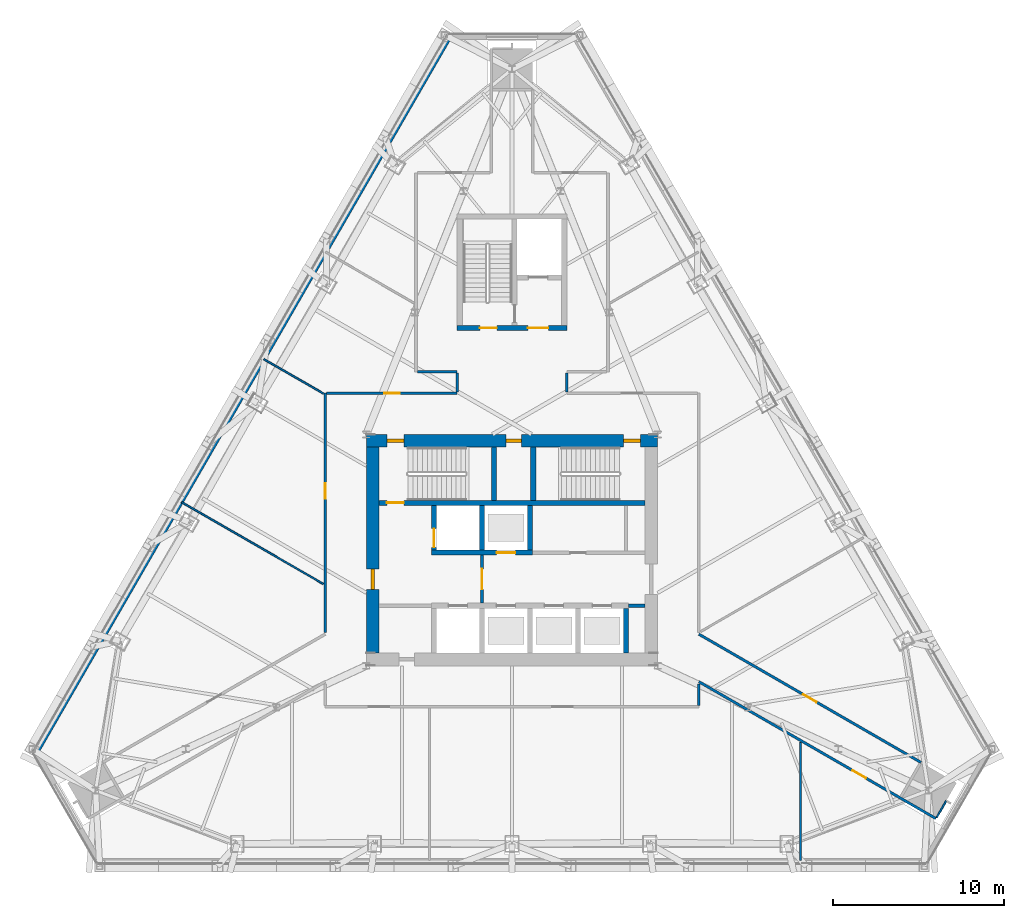
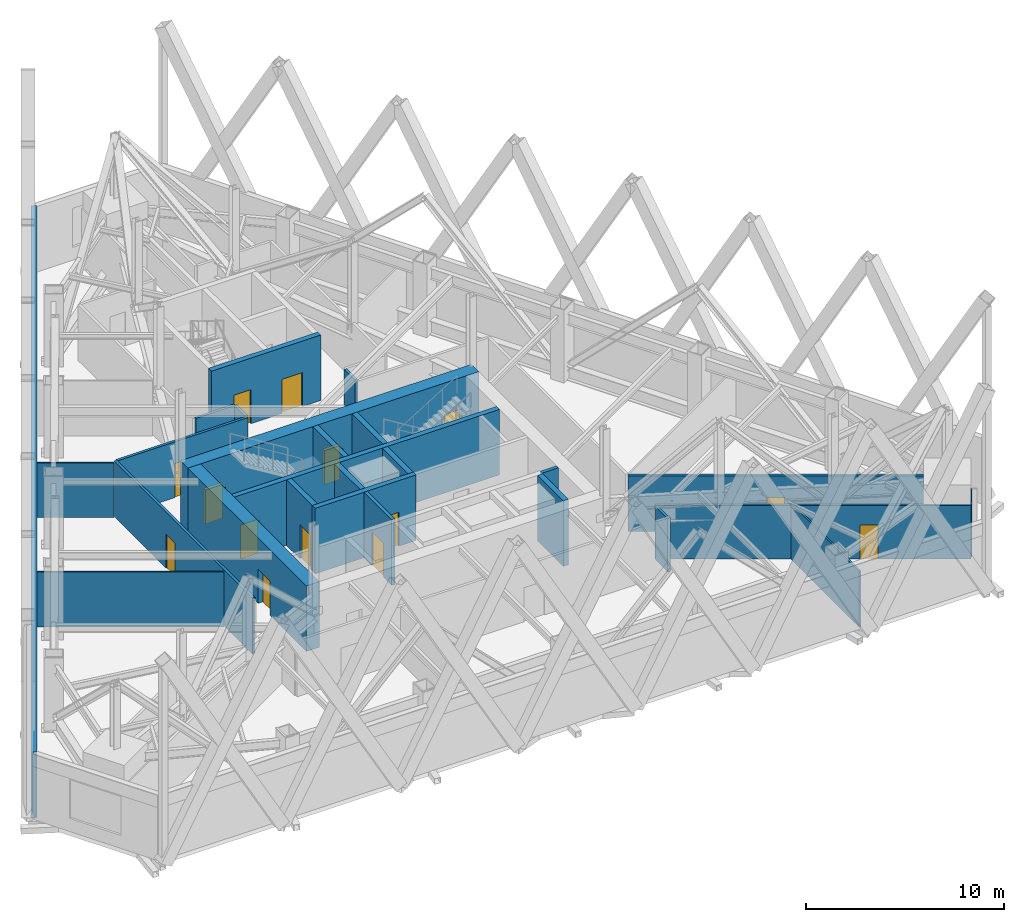
# One storey, part 8 of 16: 26 walls, 14 doors, 14 openings.
"""IFC4 building model written with IfcOpenShell, lengths in metres."""

from ifc_helpers import new_model, si_unit, direction, frame, frame_2d, origin, place, context, subcontext, project, spatial, rectangle, extrude, material, layer, layer_set, type_object, element, fill, save


model = new_model("IFC4")

# Units and contexts
model_context = context("Model", 3, precision=1e-05, world=origin(), true_north=direction((0.0, 1.0)))
body_context = subcontext(model_context, "Body", "Model", "MODEL_VIEW")
ifc_project = project(units=[si_unit("LENGTHUNIT", "METRE"), si_unit("AREAUNIT", "SQUARE_METRE"), si_unit("VOLUMEUNIT", "CUBIC_METRE"), si_unit("PLANEANGLEUNIT", "RADIAN"), si_unit("MASSUNIT", "GRAM", prefix="KILO")], contexts=[model_context])

# Site, building, storey
site_placement = place(None, origin())
site = spatial("IfcSite", under=ifc_project, at=site_placement, CompositionType="ELEMENT")
building_placement = place(site_placement, origin())
building = spatial("IfcBuilding", under=site, at=building_placement, Name="Firuza Gate Tower and Library", CompositionType="ELEMENT")
storey_placement = place(building_placement, frame((0.0, 0.0, 247.60009765625)))
storey = spatial("IfcBuildingStorey", under=building, at=storey_placement, Name="L58", CompositionType="ELEMENT", Elevation=247.60009765625)

# Wall
ifc_material_1 = material(Name="Plasterboard on steel studs", Category="steel")
ifc_layer_1 = layer(ifc_material_1, 0.199951171875)
ifc_layer_set_1 = layer_set([ifc_layer_1], Name="Core partition 200 EI 120")
wall_type_1 = type_object("IfcWallType", Name="Core partition 200 EI 120", PredefinedType="PARTITIONING", material=ifc_layer_set_1)
wall_1_placement = place(storey_placement, frame((81.800048828125, 71.75, 0.0), z_axis=(0.0, 0.0, 1.0), x_axis=(1.0, 0.0, 0.0)))
element("IfcWall", 1, at=wall_1_placement, inside=storey, type_object=wall_type_1, Name="Core partition L58 2", PredefinedType="PARTITIONING", context=body_context, shape_type="SweptSolid", body=[
    extrude(rectangle(XDim=0.949951171875, YDim=0.199951171875, at=frame_2d((0.47509765625, 0.0))), origin(), (0.0, 0.0, 1.0), 4.0498046875),
])

# Wall, opening, door
ifc_material_2 = material(Name="Plasterboard on steel studs", Category="steel")
ifc_layer_2 = layer(ifc_material_2, 0.199951171875)
ifc_layer_set_2 = layer_set([ifc_layer_2], Name="Core partition 200 EI 60")
wall_type_2 = type_object("IfcWallType", Name="Core partition 200 EI 60", PredefinedType="PARTITIONING", material=ifc_layer_set_2)
wall_2_placement = place(storey_placement, frame((73.25, 71.89990234375, 0.0), z_axis=(0.0, 0.0, 1.0), x_axis=(0.0, 1.0, 0.0)))
wall_2 = element("IfcWall", 2, at=wall_2_placement, inside=storey, type_object=wall_type_2, Name="Core partition L58 4", PredefinedType="PARTITIONING", context=body_context, shape_type="SweptSolid", body=[
    extrude(rectangle(XDim=2.800048828125, YDim=0.199951171875, at=frame_2d((1.39990234375, 0.0))), origin(), (0.0, 0.0, 1.0), 4.0498046875),
])
opening_1_placement = place(wall_2_placement, frame((0.800048828125, 0.0, 0.0)))
opening_1 = element("IfcOpeningElement", 3, at=opening_1_placement, cuts=wall_2, Name="Opening L58-K14", PredefinedType="OPENING", context=body_context, shape_type="SweptSolid", body=[
    extrude(rectangle(XDim=1.199951171875, YDim=2.10009765625, at=frame_2d((0.60009765625, 1.050048828125))), frame((0.0, 0.10986328125, 0.0), z_axis=(0.0, -1.0, 0.0), x_axis=(1.0, 0.0, 0.0)), (0.0, 0.0, 1.0), 0.219970703125),
])
ifc_material_3 = material(Name="Steel", Category="steel")
door_type_1 = type_object("IfcDoorType", Name="Fire door 1200x2100 FD90S", OperationType="NOTDEFINED", PredefinedType="DOOR", material=ifc_material_3)
door_1_placement = place(opening_1_placement, origin())
door_1 = element("IfcDoor", 4, at=door_1_placement, inside=storey, type_object=door_type_1, Name="Door L58-K14", OperationType="SINGLE_SWING_LEFT", OverallHeight=2.10009765625, OverallWidth=1.199951171875, PredefinedType="DOOR", context=body_context, shape_type="SweptSolid", body=[
    extrude(rectangle(XDim=1.199951171875, YDim=2.10009765625, at=frame_2d((0.60009765625, 1.050048828125))), frame((0.0, 0.02490234375, 0.0), z_axis=(0.0, -1.0, 0.0), x_axis=(1.0, 0.0, 0.0)), (0.0, 0.0, 1.0), 0.050048828125),
])
fill(opening_1, door_1)

ifc_material_4 = material(Name="Concrete C60/75", Category="concrete")
ifc_layer_3 = layer(ifc_material_4, 0.300048828125)
ifc_layer_set_3 = layer_set([ifc_layer_3], Name="Core wall 300 C60/75")
wall_type_3 = type_object("IfcWallType", Name="Core wall 300 C60/75", PredefinedType="SHEAR", material=ifc_layer_set_3)
wall_3_placement = place(storey_placement, frame((70.300048828125, 74.85009765625, 0.0), z_axis=(0.0, 0.0, 1.0), x_axis=(1.0, 0.0, 0.0)))
wall_3 = element("IfcWall", 5, at=wall_3_placement, inside=storey, type_object=wall_type_3, Name="Core wall L58 6", PredefinedType="SHEAR", context=body_context, shape_type="SweptSolid", body=[
    extrude(rectangle(XDim=5.89990234375, YDim=0.300048828125, at=frame_2d((2.949951171875, 0.0))), origin(), (0.0, 0.0, 1.0), 4.0498046875),
])
opening_2_placement = place(wall_3_placement, frame((3.800048828125, 0.0, 0.0)))
opening_2 = element("IfcOpeningElement", 6, at=opening_2_placement, cuts=wall_3, Name="Opening LD-HR4-L58", PredefinedType="OPENING", context=body_context, shape_type="SweptSolid", body=[
    extrude(rectangle(XDim=1.10009765625, YDim=2.10009765625, at=frame_2d((0.550048828125, 1.050048828125))), frame((0.0, 0.16015625, 0.0), z_axis=(0.0, -1.0, 0.0), x_axis=(1.0, 0.0, 0.0)), (0.0, 0.0, 1.0), 0.320068359375),
])
ifc_material_5 = material(Name="Stainless steel", Category="steel")
door_type_2 = type_object("IfcDoorType", Name="Lift landing door 1100x2100", OperationType="DOUBLE_DOOR_SLIDING", PredefinedType="DOOR", material=ifc_material_5)
door_2_placement = place(opening_2_placement, origin())
door_2 = element("IfcDoor", 7, at=door_2_placement, inside=storey, type_object=door_type_2, Name="Landing door HR4 L58", OperationType="DOUBLE_DOOR_SLIDING", OverallHeight=2.10009765625, OverallWidth=1.10009765625, PredefinedType="DOOR", context=body_context, shape_type="SweptSolid", body=[
    extrude(rectangle(XDim=1.10009765625, YDim=2.10009765625, at=frame_2d((0.550048828125, 1.050048828125))), frame((0.0, 0.02490234375, 0.0), z_axis=(0.0, -1.0, 0.0), x_axis=(1.0, 0.0, 0.0)), (0.0, 0.0, 1.0), 0.050048828125),
])
fill(opening_2, door_2)

wall_4_placement = place(storey_placement, frame((70.449951171875, 75.0, 0.0), z_axis=(0.0, 0.0, 1.0), x_axis=(0.0, 1.0, 0.0)))
wall_4 = element("IfcWall", 8, at=wall_4_placement, inside=storey, type_object=wall_type_3, Name="Core wall L58 8", PredefinedType="SHEAR", context=body_context, shape_type="SweptSolid", body=[
    extrude(rectangle(XDim=2.60009765625, YDim=0.300048828125, at=frame_2d((1.300048828125, 0.0))), origin(), (0.0, 0.0, 1.0), 4.0498046875),
])
opening_3_placement = place(wall_4_placement, frame((0.14990234375, 0.0, 0.0)))
opening_3 = element("IfcOpeningElement", 9, at=opening_3_placement, cuts=wall_4, Name="Opening LD-FF2-L58", PredefinedType="OPENING", context=body_context, shape_type="SweptSolid", body=[
    extrude(rectangle(XDim=1.10009765625, YDim=2.10009765625, at=frame_2d((0.550048828125, 1.050048828125))), frame((0.0, 0.16015625, 0.0), z_axis=(0.0, -1.0, 0.0), x_axis=(1.0, 0.0, 0.0)), (0.0, 0.0, 1.0), 0.320068359375),
])
door_3_placement = place(opening_3_placement, origin())
door_3 = element("IfcDoor", 10, at=door_3_placement, inside=storey, type_object=door_type_2, Name="Landing door FF2 L58", OperationType="DOUBLE_DOOR_SLIDING", OverallHeight=2.10009765625, OverallWidth=1.10009765625, PredefinedType="DOOR", context=body_context, shape_type="SweptSolid", body=[
    extrude(rectangle(XDim=1.10009765625, YDim=2.10009765625, at=frame_2d((0.550048828125, 1.050048828125))), frame((0.0, 0.02490234375, 0.0), z_axis=(0.0, -1.0, 0.0), x_axis=(1.0, 0.0, 0.0)), (0.0, 0.0, 1.0), 0.050048828125),
])
fill(opening_3, door_3)

# Walls
for number, where, z_axis, x_axis, name in (
    (11, (73.25, 75.0, 0.0), (0.0, 0.0, 1.0), (0.0, 1.0, 0.0), "Core wall L58 10"),
    (12, (76.050048828125, 75.0, 0.0), (0.0, 0.0, 1.0), (0.0, 1.0, 0.0), "Core wall L58 12"),
    (13, (81.64990234375, 69.0, 0.0), (0.0, 0.0, 1.0), (0.0, 1.0, 0.0), "Core wall L58 14"),
):
    element("IfcWall", number, at=place(storey_placement, frame(where, z_axis=z_axis, x_axis=x_axis)), inside=storey, type_object=wall_type_3, Name=name, PredefinedType="SHEAR", context=body_context, shape_type="SweptSolid", body=[
        extrude(rectangle(XDim=2.60009765625, YDim=0.300048828125, at=frame_2d((1.300048828125, 0.0))), origin(), (0.0, 0.0, 1.0), 4.0498046875),
    ])

# Wall, opening, door
wall_5_placement = place(storey_placement, frame((67.25, 77.75, 0.0), z_axis=(0.0, 0.0, 1.0), x_axis=(1.0, 0.0, 0.0)))
wall_5 = element("IfcWall", 14, at=wall_5_placement, inside=storey, type_object=wall_type_3, Name="Core wall L58 15", PredefinedType="SHEAR", context=body_context, shape_type="SweptSolid", body=[
    extrude(rectangle(XDim=15.5, YDim=0.300048828125, at=frame_2d((7.75, 0.0))), origin(), (0.0, 0.0, 1.0), 4.0498046875),
])
opening_4_placement = place(wall_5_placement, frame((0.445068359375, 0.0, 0.0)))
opening_4 = element("IfcOpeningElement", 15, at=opening_4_placement, cuts=wall_5, Name="Opening L58-K08", PredefinedType="OPENING", context=body_context, shape_type="SweptSolid", body=[
    extrude(rectangle(XDim=1.0, YDim=2.10009765625, at=frame_2d((0.5, 1.050048828125))), frame((0.0, 0.16015625, 0.0), z_axis=(0.0, -1.0, 0.0), x_axis=(1.0, 0.0, 0.0)), (0.0, 0.0, 1.0), 0.320068359375),
])
ifc_material_6 = material(Name="Steel", Category="steel")
door_type_3 = type_object("IfcDoorType", Name="Fire door 1000x2100 FD90", OperationType="NOTDEFINED", PredefinedType="DOOR", material=ifc_material_6)
door_4_placement = place(opening_4_placement, origin())
door_4 = element("IfcDoor", 16, at=door_4_placement, inside=storey, type_object=door_type_3, Name="Door L58-K08", OperationType="SINGLE_SWING_LEFT", OverallHeight=2.10009765625, OverallWidth=1.0, PredefinedType="DOOR", context=body_context, shape_type="SweptSolid", body=[
    extrude(rectangle(XDim=1.0, YDim=2.10009765625, at=frame_2d((0.5, 1.050048828125))), frame((0.0, 0.02490234375, 0.0), z_axis=(0.0, -1.0, 0.0), x_axis=(1.0, 0.0, 0.0)), (0.0, 0.0, 1.0), 0.050048828125),
])
fill(opening_4, door_4)

# Walls
for number, where, z_axis, x_axis, name in (
    (17, (73.9599609375, 77.89990234375, 0.0), (0.0, 0.0, 1.0), (0.0, 1.0, 0.0), "Core wall L58 16"),
    (18, (76.239990234375, 77.89990234375, 0.0), (0.0, 0.0, 1.0), (0.0, 1.0, 0.0), "Core wall L58 17"),
):
    element("IfcWall", number, at=place(storey_placement, frame(where, z_axis=z_axis, x_axis=x_axis)), inside=storey, type_object=wall_type_3, Name=name, PredefinedType="SHEAR", context=body_context, shape_type="SweptSolid", body=[
        extrude(rectangle(XDim=3.10009765625, YDim=0.300048828125, at=frame_2d((1.550048828125, 0.0))), origin(), (0.0, 0.0, 1.0), 4.0498046875),
    ])

# Wall, openings, doors
wall_6_placement = place(storey_placement, frame((71.800048828125, 87.949951171875, 0.0), z_axis=(0.0, 0.0, 1.0), x_axis=(1.0, 0.0, 0.0)))
wall_6 = element("IfcWall", 19, at=wall_6_placement, inside=storey, type_object=wall_type_3, Name="Core wall L58 18", PredefinedType="SHEAR", context=body_context, shape_type="SweptSolid", body=[
    extrude(rectangle(XDim=6.39990234375, YDim=0.300048828125, at=frame_2d((3.199951171875, 0.0))), origin(), (0.0, 0.0, 1.0), 4.0498046875),
])
opening_5_placement = place(wall_6_placement, frame((1.324951171875, 0.0, 0.0)))
opening_5 = element("IfcOpeningElement", 20, at=opening_5_placement, cuts=wall_6, Name="Opening L58-K11", PredefinedType="OPENING", context=body_context, shape_type="SweptSolid", body=[
    extrude(rectangle(XDim=1.0, YDim=2.10009765625, at=frame_2d((0.5, 1.050048828125))), frame((0.0, 0.16015625, 0.0), z_axis=(0.0, -1.0, 0.0), x_axis=(1.0, 0.0, 0.0)), (0.0, 0.0, 1.0), 0.320068359375),
])
opening_6_placement = place(wall_6_placement, frame((4.125, 0.0, 0.0)))
opening_6 = element("IfcOpeningElement", 21, at=opening_6_placement, cuts=wall_6, Name="Opening L58-K13", PredefinedType="OPENING", context=body_context, shape_type="SweptSolid", body=[
    extrude(rectangle(XDim=1.199951171875, YDim=2.10009765625, at=frame_2d((0.60009765625, 1.050048828125))), frame((0.0, 0.16015625, 0.0), z_axis=(0.0, -1.0, 0.0), x_axis=(1.0, 0.0, 0.0)), (0.0, 0.0, 1.0), 0.320068359375),
])
door_5_placement = place(opening_5_placement, origin())
door_5 = element("IfcDoor", 22, at=door_5_placement, inside=storey, type_object=door_type_3, Name="Door L58-K11", OperationType="SINGLE_SWING_RIGHT", OverallHeight=2.10009765625, OverallWidth=1.0, PredefinedType="DOOR", context=body_context, shape_type="SweptSolid", body=[
    extrude(rectangle(XDim=1.0, YDim=2.10009765625, at=frame_2d((0.5, 1.050048828125))), frame((0.0, 0.02490234375, 0.0), z_axis=(0.0, -1.0, 0.0), x_axis=(1.0, 0.0, 0.0)), (0.0, 0.0, 1.0), 0.050048828125),
])
fill(opening_5, door_5)
ifc_material_7 = material(Name="Steel", Category="steel")
door_type_4 = type_object("IfcDoorType", Name="Fire door 1200x2100 FD30S", OperationType="NOTDEFINED", PredefinedType="DOOR", material=ifc_material_7)
door_6_placement = place(opening_6_placement, origin())
door_6 = element("IfcDoor", 23, at=door_6_placement, inside=storey, type_object=door_type_4, Name="Door L58-K13", OperationType="SINGLE_SWING_RIGHT", OverallHeight=2.10009765625, OverallWidth=1.199951171875, PredefinedType="DOOR", context=body_context, shape_type="SweptSolid", body=[
    extrude(rectangle(XDim=1.199951171875, YDim=2.10009765625, at=frame_2d((0.60009765625, 1.050048828125))), frame((0.0, 0.02490234375, 0.0), z_axis=(0.0, -1.0, 0.0), x_axis=(1.0, 0.0, 0.0)), (0.0, 0.0, 1.0), 0.050048828125),
])
fill(opening_6, door_6)

ifc_material_8 = material(Name="Concrete C60/75", Category="concrete")
ifc_layer_4 = layer(ifc_material_8, 0.75)
ifc_layer_set_4 = layer_set([ifc_layer_4], Name="Core wall 750 C60/75")
wall_type_4 = type_object("IfcWallType", Name="Core wall 750 C60/75", PredefinedType="SHEAR", material=ifc_layer_set_4)
wall_7_placement = place(storey_placement, frame((66.5, 81.375, 0.0), z_axis=(0.0, 0.0, 1.0), x_axis=(1.0, 0.0, 0.0)))
wall_7 = element("IfcWall", 24, at=wall_7_placement, inside=storey, type_object=wall_type_4, Name="Core wall L58 2", PredefinedType="SHEAR", context=body_context, shape_type="SweptSolid", body=[
    extrude(rectangle(XDim=17.0, YDim=0.75, at=frame_2d((8.5, 0.0))), origin(), (0.0, 0.0, 1.0), 4.0498046875),
])
opening_7_placement = place(wall_7_placement, frame((1.195068359375, 0.0, 0.0)))
opening_7 = element("IfcOpeningElement", 25, at=opening_7_placement, cuts=wall_7, Name="Opening L58-K09", PredefinedType="OPENING", context=body_context, shape_type="SweptSolid", body=[
    extrude(rectangle(XDim=1.0, YDim=2.10009765625, at=frame_2d((0.5, 1.050048828125))), frame((0.0, 0.385009765625, 0.0), z_axis=(0.0, -1.0, 0.0), x_axis=(1.0, 0.0, 0.0)), (0.0, 0.0, 1.0), 0.77001953125),
])
opening_8_placement = place(wall_7_placement, frame((15.0048828125, 0.0, 0.0)))
opening_8 = element("IfcOpeningElement", 26, at=opening_8_placement, cuts=wall_7, Name="Opening L58-K10", PredefinedType="OPENING", context=body_context, shape_type="SweptSolid", body=[
    extrude(rectangle(XDim=1.0, YDim=2.10009765625, at=frame_2d((0.5, 1.050048828125))), frame((0.0, 0.385009765625, 0.0), z_axis=(0.0, -1.0, 0.0), x_axis=(1.0, 0.0, 0.0)), (0.0, 0.0, 1.0), 0.77001953125),
])
opening_9_placement = place(wall_7_placement, frame((8.14990234375, 0.0, 0.0)))
opening_9 = element("IfcOpeningElement", 27, at=opening_9_placement, cuts=wall_7, Name="Opening L58-K19", PredefinedType="OPENING", context=body_context, shape_type="SweptSolid", body=[
    extrude(rectangle(XDim=0.89990234375, YDim=2.10009765625, at=frame_2d((0.449951171875, 1.050048828125))), frame((0.0, 0.385009765625, 0.0), z_axis=(0.0, -1.0, 0.0), x_axis=(1.0, 0.0, 0.0)), (0.0, 0.0, 1.0), 0.77001953125),
])
door_7_placement = place(opening_7_placement, origin())
door_7 = element("IfcDoor", 28, at=door_7_placement, inside=storey, type_object=door_type_3, Name="Door L58-K09", OperationType="SINGLE_SWING_RIGHT", OverallHeight=2.10009765625, OverallWidth=1.0, PredefinedType="DOOR", context=body_context, shape_type="SweptSolid", body=[
    extrude(rectangle(XDim=1.0, YDim=2.10009765625, at=frame_2d((0.5, 1.050048828125))), frame((0.0, 0.094970703125, 0.0), z_axis=(0.0, -1.0, 0.0), x_axis=(1.0, 0.0, 0.0)), (0.0, 0.0, 1.0), 0.18994140625),
])
fill(opening_7, door_7)
door_8_placement = place(opening_8_placement, origin())
door_8 = element("IfcDoor", 29, at=door_8_placement, inside=storey, type_object=door_type_3, Name="Door L58-K10", OperationType="SINGLE_SWING_LEFT", OverallHeight=2.10009765625, OverallWidth=1.0, PredefinedType="DOOR", context=body_context, shape_type="SweptSolid", body=[
    extrude(rectangle(XDim=1.0, YDim=2.10009765625, at=frame_2d((0.5, 1.050048828125))), frame((0.0, 0.094970703125, 0.0), z_axis=(0.0, -1.0, 0.0), x_axis=(1.0, 0.0, 0.0)), (0.0, 0.0, 1.0), 0.18994140625),
])
fill(opening_8, door_8)
ifc_material_9 = material(Name="Steel", Category="steel")
door_type_5 = type_object("IfcDoorType", Name="Fire door 900x2100 FD30S", OperationType="NOTDEFINED", PredefinedType="DOOR", material=ifc_material_9)
door_9_placement = place(opening_9_placement, origin())
door_9 = element("IfcDoor", 30, at=door_9_placement, inside=storey, type_object=door_type_5, Name="Door L58-K19", OperationType="SINGLE_SWING_RIGHT", OverallHeight=2.10009765625, OverallWidth=0.89990234375, PredefinedType="DOOR", context=body_context, shape_type="SweptSolid", body=[
    extrude(rectangle(XDim=0.89990234375, YDim=2.10009765625, at=frame_2d((0.449951171875, 1.050048828125))), frame((0.0, 0.094970703125, 0.0), z_axis=(0.0, -1.0, 0.0), x_axis=(1.0, 0.0, 0.0)), (0.0, 0.0, 1.0), 0.18994140625),
])
fill(opening_9, door_9)

# Wall, opening, door
wall_8_placement = place(storey_placement, frame((66.875, 69.0, 0.0), z_axis=(0.0, 0.0, 1.0), x_axis=(0.0, 1.0, 0.0)))
wall_8 = element("IfcWall", 31, at=wall_8_placement, inside=storey, type_object=wall_type_4, Name="Core wall L58 3", PredefinedType="SHEAR", context=body_context, shape_type="SweptSolid", body=[
    extrude(rectangle(XDim=12.0, YDim=0.75, at=frame_2d((6.0, 0.0))), origin(), (0.0, 0.0, 1.0), 4.0498046875),
])
opening_10_placement = place(wall_8_placement, frame((3.699951171875, 0.0, 0.0)))
opening_10 = element("IfcOpeningElement", 32, at=opening_10_placement, cuts=wall_8, Name="Opening L58-K15", PredefinedType="OPENING", context=body_context, shape_type="SweptSolid", body=[
    extrude(rectangle(XDim=1.199951171875, YDim=2.10009765625, at=frame_2d((0.60009765625, 1.050048828125))), frame((0.0, 0.385009765625, 0.0), z_axis=(0.0, -1.0, 0.0), x_axis=(1.0, 0.0, 0.0)), (0.0, 0.0, 1.0), 0.77001953125),
])
door_10_placement = place(opening_10_placement, origin())
door_10 = element("IfcDoor", 33, at=door_10_placement, inside=storey, type_object=door_type_1, Name="Door L58-K15", OperationType="SINGLE_SWING_RIGHT", OverallHeight=2.10009765625, OverallWidth=1.199951171875, PredefinedType="DOOR", context=body_context, shape_type="SweptSolid", body=[
    extrude(rectangle(XDim=1.199951171875, YDim=2.10009765625, at=frame_2d((0.60009765625, 1.050048828125))), frame((0.0, 0.094970703125, 0.0), z_axis=(0.0, -1.0, 0.0), x_axis=(1.0, 0.0, 0.0)), (0.0, 0.0, 1.0), 0.18994140625),
])
fill(opening_10, door_10)

ifc_material_10 = material(Name="Gypsum board partition")
ifc_layer_5 = layer(ifc_material_10, 0.14990234375)
ifc_layer_set_5 = layer_set([ifc_layer_5], Name="Corridor wall 150 double board on steel studs")
wall_type_5 = type_object("IfcWallType", Name="Corridor wall 150 double board on steel studs", PredefinedType="PARTITIONING", material=ifc_layer_set_5)
wall_9_placement = place(storey_placement, frame((64.175537109375, 84.14990234375, 0.0), z_axis=(0.0, 0.0, 1.0), x_axis=(1.0, 0.0, 0.0)))
wall_9 = element("IfcWall", 34, at=wall_9_placement, inside=storey, type_object=wall_type_5, Name="f:L58:w001", PredefinedType="PARTITIONING", context=body_context, shape_type="SweptSolid", body=[
    extrude(rectangle(XDim=7.62451171875, YDim=0.14990234375, at=frame_2d((3.812255859375, 0.0))), origin(), (0.0, 0.0, 1.0), 3.447021484375),
])
opening_11_placement = place(wall_9_placement, frame((3.3623046875, 0.0, 0.0)))
opening_11 = element("IfcOpeningElement", 35, at=opening_11_placement, cuts=wall_9, Name="Opening L58-03", PredefinedType="OPENING", context=body_context, shape_type="SweptSolid", body=[
    extrude(rectangle(XDim=0.89990234375, YDim=2.10009765625, at=frame_2d((0.449951171875, 1.050048828125))), frame((0.0, 0.0849609375, 0.0), z_axis=(0.0, -1.0, 0.0), x_axis=(1.0, 0.0, 0.0)), (0.0, 0.0, 1.0), 0.169921875),
])
ifc_material_11 = material(Name="Steel door and timber leaf", Category="steel")
door_type_6 = type_object("IfcDoorType", Name="Fire door 900 x 2100 steel frame, timber leaf", OperationType="NOTDEFINED", PredefinedType="DOOR", material=ifc_material_11)
door_11_placement = place(opening_11_placement, origin())
door_11 = element("IfcDoor", 36, at=door_11_placement, inside=storey, type_object=door_type_6, Name="f:L58:d003", OperationType="SINGLE_SWING_RIGHT", OverallHeight=2.10009765625, OverallWidth=0.89990234375, PredefinedType="DOOR", context=body_context, shape_type="SweptSolid", body=[
    extrude(rectangle(XDim=0.89990234375, YDim=2.10009765625, at=frame_2d((0.449951171875, 1.050048828125))), frame((0.0, 0.02490234375, 0.0), z_axis=(0.0, -1.0, 0.0), x_axis=(1.0, 0.0, 0.0)), (0.0, 0.0, 1.0), 0.050048828125),
])
fill(opening_11, door_11)

# Walls
wall_10_placement = place(storey_placement, frame((69.4755859375, 85.39990234375, 0.0), z_axis=(0.0, 0.0, 1.0), x_axis=(1.0, 0.0, 0.0)))
element("IfcWall", 37, at=wall_10_placement, inside=storey, type_object=wall_type_5, Name="f:L58:w003", PredefinedType="PARTITIONING", context=body_context, shape_type="SweptSolid", body=[
    extrude(rectangle(XDim=2.324462890625, YDim=0.14990234375, at=frame_2d((1.162109375, 0.0))), origin(), (0.0, 0.0, 1.0), 3.447021484375),
])
wall_11_placement = place(storey_placement, frame((85.89990234375, 65.925537109375, 0.0), z_axis=(0.0, 0.0, 1.0), x_axis=(0.0, 1.0, 0.0)))
element("IfcWall", 38, at=wall_11_placement, inside=storey, type_object=wall_type_5, Name="f:L58:w017", PredefinedType="PARTITIONING", context=body_context, shape_type="SweptSolid", body=[
    extrude(rectangle(XDim=1.259033203125, YDim=0.14990234375, at=frame_2d((0.62939453125, 0.0))), origin(), (0.0, 0.0, 1.0), 3.296875),
])
for number, where, z_axis, x_axis, name in (
    (39, (78.199951171875, 84.22509765625, 0.0), (0.0, 0.0, 1.0), (0.0, 1.0, 0.0), "f:L58:w020"),
    (40, (71.800048828125, 84.22509765625, 0.0), (0.0, 0.0, 1.0), (0.0, 1.0, 0.0), "f:L58:w024"),
):
    element("IfcWall", number, at=place(storey_placement, frame(where, z_axis=z_axis, x_axis=x_axis)), inside=storey, type_object=wall_type_5, Name=name, PredefinedType="PARTITIONING", context=body_context, shape_type="SweptSolid", body=[
        extrude(rectangle(XDim=1.099853515625, YDim=0.14990234375, at=frame_2d((0.5498046875, 0.0))), origin(), (0.0, 0.0, 1.0), 3.447021484375),
    ])

# Wall, opening, door
wall_12_placement = place(storey_placement, frame((64.10009765625, 70.17919921875, 0.0), z_axis=(0.0, 0.0, 1.0), x_axis=(0.0, 1.0, 0.0)))
wall_12 = element("IfcWall", 41, at=wall_12_placement, inside=storey, type_object=wall_type_5, Name="f:L58:w028", PredefinedType="PARTITIONING", context=body_context, shape_type="SweptSolid", body=[
    extrude(rectangle(XDim=13.97021484375, YDim=0.14990234375, at=frame_2d((6.985107421875, 0.0))), origin(), (0.0, 0.0, 1.0), 3.449951171875),
])
opening_12_placement = place(wall_12_placement, frame((7.8251953125, 0.0, 0.0)))
opening_12 = element("IfcOpeningElement", 42, at=opening_12_placement, cuts=wall_12, Name="Opening L58-08", PredefinedType="OPENING", context=body_context, shape_type="SweptSolid", body=[
    extrude(rectangle(XDim=0.89990234375, YDim=2.10009765625, at=frame_2d((0.449951171875, 1.050048828125))), frame((0.0, 0.0849609375, 0.0), z_axis=(0.0, -1.0, 0.0), x_axis=(1.0, 0.0, 0.0)), (0.0, 0.0, 1.0), 0.169921875),
])
door_12_placement = place(opening_12_placement, origin())
door_12 = element("IfcDoor", 43, at=door_12_placement, inside=storey, type_object=door_type_6, Name="f:L58:d008", OperationType="SINGLE_SWING_LEFT", OverallHeight=2.10009765625, OverallWidth=0.89990234375, PredefinedType="DOOR", context=body_context, shape_type="SweptSolid", body=[
    extrude(rectangle(XDim=0.89990234375, YDim=2.10009765625, at=frame_2d((0.449951171875, 1.050048828125))), frame((0.0, 0.02490234375, 0.0), z_axis=(0.0, -1.0, 0.0), x_axis=(1.0, 0.0, 0.0)), (0.0, 0.0, 1.0), 0.050048828125),
])
fill(opening_12, door_12)

wall_13_placement = place(storey_placement, frame((85.900146484375, 70.092529296875, 0.0), z_axis=(0.0, 0.0, 1.0), x_axis=(0.86602437476, -0.500001782318, 0.0)))
wall_13 = element("IfcWall", 44, at=wall_13_placement, inside=storey, type_object=wall_type_5, Name="f:L58:w033", PredefinedType="PARTITIONING", context=body_context, shape_type="SweptSolid", body=[
    extrude(rectangle(XDim=14.955078125, YDim=0.14990234375, at=frame_2d((7.4775390625, 0.0))), origin(), (0.0, 0.0, 1.0), 3.449951171875),
])
opening_13_placement = place(wall_13_placement, frame((7.027587890625, 0.0, 0.0)))
opening_13 = element("IfcOpeningElement", 45, at=opening_13_placement, cuts=wall_13, Name="Opening L58-09", PredefinedType="OPENING", context=body_context, shape_type="SweptSolid", body=[
    extrude(rectangle(XDim=0.89990234375, YDim=2.10009765625, at=frame_2d((0.449951171875, 1.050048828125))), frame((0.0, 0.0849609375, 0.0), z_axis=(0.0, -1.0, 0.0), x_axis=(1.0, 0.0, 0.0)), (0.0, 0.0, 1.0), 0.169921875),
])
door_13_placement = place(opening_13_placement, origin())
door_13 = element("IfcDoor", 46, at=door_13_placement, inside=storey, type_object=door_type_6, Name="f:L58:d009", OperationType="SINGLE_SWING_LEFT", OverallHeight=2.10009765625, OverallWidth=0.89990234375, PredefinedType="DOOR", context=body_context, shape_type="SweptSolid", body=[
    extrude(rectangle(XDim=0.89990234375, YDim=2.10009765625, at=frame_2d((0.449951171875, 1.050048828125))), frame((0.0, 0.02490234375, 0.0), z_axis=(0.0, -1.0, 0.0), x_axis=(1.0, 0.0, 0.0)), (0.0, 0.0, 1.0), 0.050048828125),
])
fill(opening_13, door_13)

wall_14_placement = place(storey_placement, frame((99.72998046875, 59.336669921875, 0.0), z_axis=(0.0, 0.0, 1.0), x_axis=(-0.866026467601, 0.499998157411, 0.0)))
wall_14 = element("IfcWall", 47, at=wall_14_placement, inside=storey, type_object=wall_type_5, Name="f:L58:w035", PredefinedType="PARTITIONING", context=body_context, shape_type="SweptSolid", body=[
    extrude(rectangle(XDim=15.96923828125, YDim=0.14990234375, at=frame_2d((7.984619140625, 0.0))), origin(), (0.0, 0.0, 1.0), 3.296875),
])
opening_14_placement = place(wall_14_placement, frame((4.70947265625, 0.0, 0.0)))
opening_14 = element("IfcOpeningElement", 48, at=opening_14_placement, cuts=wall_14, Name="Opening L58-10", PredefinedType="OPENING", context=body_context, shape_type="SweptSolid", body=[
    extrude(rectangle(XDim=0.89990234375, YDim=2.10009765625, at=frame_2d((0.449951171875, 1.050048828125))), frame((0.0, 0.0849609375, 0.0), z_axis=(0.0, -1.0, 0.0), x_axis=(1.0, 0.0, 0.0)), (0.0, 0.0, 1.0), 0.169921875),
])
door_14_placement = place(opening_14_placement, origin())
door_14 = element("IfcDoor", 49, at=door_14_placement, inside=storey, type_object=door_type_6, Name="f:L58:d010", OperationType="SINGLE_SWING_LEFT", OverallHeight=2.10009765625, OverallWidth=0.89990234375, PredefinedType="DOOR", context=body_context, shape_type="SweptSolid", body=[
    extrude(rectangle(XDim=0.89990234375, YDim=2.10009765625, at=frame_2d((0.449951171875, 1.050048828125))), frame((0.0, 0.02490234375, 0.0), z_axis=(0.0, -1.0, 0.0), x_axis=(1.0, 0.0, 0.0)), (0.0, 0.0, 1.0), 0.050048828125),
])
fill(opening_14, door_14)

# Walls
ifc_material_12 = material(Name="Gypsum board partition")
ifc_layer_6 = layer(ifc_material_12, 0.10009765625)
ifc_layer_set_6 = layer_set([ifc_layer_6], Name="Partition 100 gypsum board on steel studs")
wall_type_6 = type_object("IfcWallType", Name="Partition 100 gypsum board on steel studs", PredefinedType="PARTITIONING", material=ifc_layer_set_6)
wall_15_placement = place(storey_placement, frame((99.768310546875, 59.401611328125, 0.0), z_axis=(0.0, 0.0, 1.0), x_axis=(0.500017019935, 0.866015577098, 0.0)))
element("IfcWall", 50, at=wall_15_placement, inside=storey, type_object=wall_type_6, Name="f:L58:w014", PredefinedType="PARTITIONING", context=body_context, shape_type="SweptSolid", body=[
    extrude(rectangle(XDim=1.1240234375, YDim=0.10009765625, at=frame_2d((0.56201171875, 0.0))), origin(), (0.0, 0.0, 1.0), 3.449951171875),
])
wall_16_placement = place(storey_placement, frame((91.8349609375, 56.897705078125, 0.0), z_axis=(0.0, 0.0, 1.0), x_axis=(0.0, 1.0, 0.0)))
element("IfcWall", 51, at=wall_16_placement, inside=storey, type_object=wall_type_6, Name="f:L58:w016", PredefinedType="PARTITIONING", context=body_context, shape_type="SweptSolid", body=[
    extrude(rectangle(XDim=6.88037109375, YDim=0.10009765625, at=frame_2d((3.440185546875, 0.0))), origin(), (0.0, 0.0, 1.0), 3.449951171875),
])
wall_17_placement = place(storey_placement, frame((64.0078125, 84.12353515625, 0.0), z_axis=(0.0, 0.0, 1.0), x_axis=(-0.866018749026, 0.500011526203, 0.0)))
element("IfcWall", 52, at=wall_17_placement, inside=storey, type_object=wall_type_6, Name="f:L58:w032", PredefinedType="PARTITIONING", context=body_context, shape_type="SweptSolid", body=[
    extrude(rectangle(XDim=4.02099609375, YDim=0.10009765625, at=frame_2d((2.010498046875, 0.0))), origin(), (0.0, 0.0, 1.0), 3.371826171875),
])
wall_18_placement = place(storey_placement, frame((63.9990234375, 73.020263671875, 0.0), z_axis=(0.0, 0.0, 1.0), x_axis=(-0.866024489559, 0.500001583482, 0.0)))
element("IfcWall", 53, at=wall_18_placement, inside=storey, type_object=wall_type_6, Name="f:L58:w036", PredefinedType="PARTITIONING", context=body_context, shape_type="SweptSolid", body=[
    extrude(rectangle(XDim=9.56494140625, YDim=0.10009765625, at=frame_2d((4.782470703125, 0.0))), origin(), (0.0, 0.0, 1.0), 3.371826171875),
])
ifc_material_13 = material(Name="Concrete C40/50", Category="concrete")
ifc_layer_7 = layer(ifc_material_13, 0.300048828125)
ifc_layer_set_7 = layer_set([ifc_layer_7], Name="Plant louvre wall 300")
wall_type_7 = type_object("IfcWallType", Name="Plant louvre wall 300", PredefinedType="SOLIDWALL", material=ifc_layer_set_7)
wall_19_placement = place(storey_placement, frame((71.34814453125, 104.93896484375, 0.0), z_axis=(0.0, 0.0, 1.0), x_axis=(-0.500001140025, -0.866024745589, 0.0)))
element("IfcWall", 54, at=wall_19_placement, inside=storey, type_object=wall_type_7, Name="Plant louvre wall 5", PredefinedType="SOLIDWALL", context=body_context, shape_type="SweptSolid", body=[
    extrude(rectangle(XDim=48.2041015625, YDim=0.300048828125, at=frame_2d((24.10205078125, 0.0))), origin(), (0.0, 0.0, 1.0), 4.0498046875),
])

save(model, "model.ifc")
